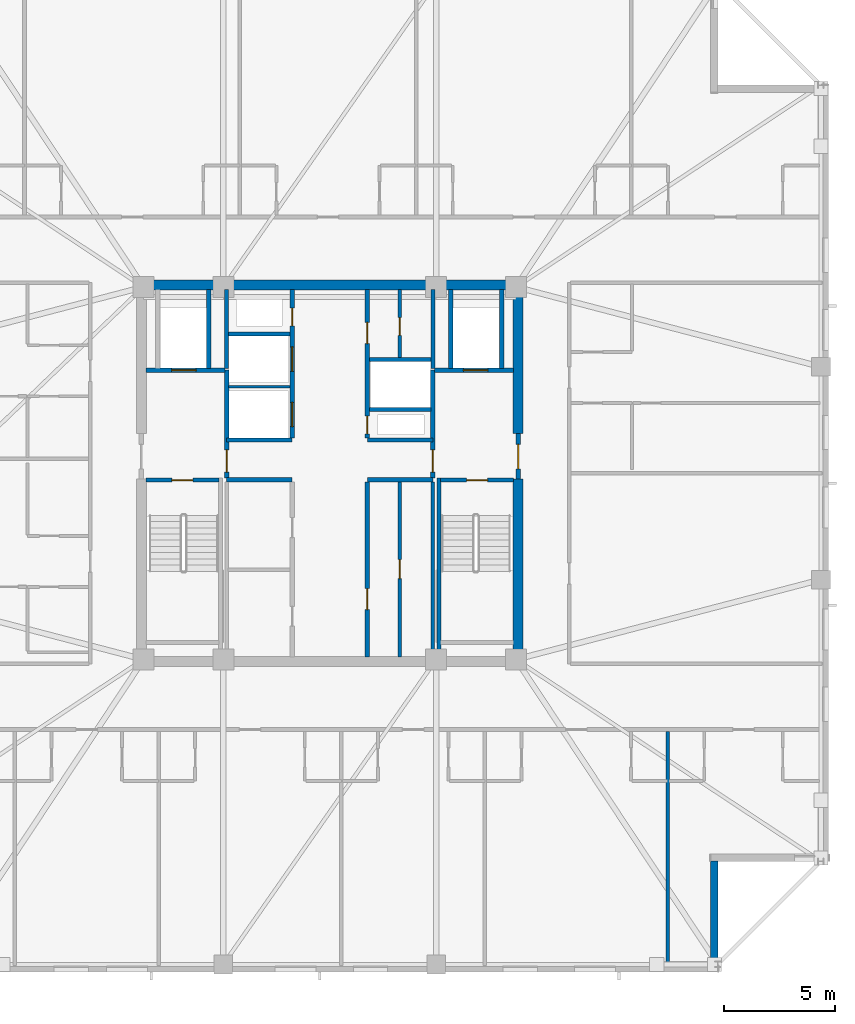
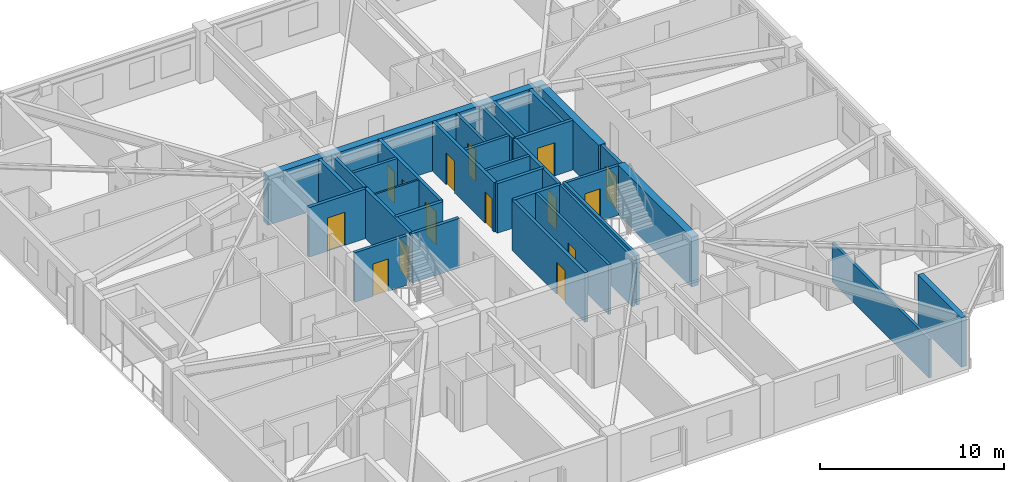
# One storey, part 9 of 17: 32 walls, 15 doors, 15 openings.
"""IFC4 building model written with IfcOpenShell, lengths in metres."""

import ifcopenshell
import ifcopenshell.guid

model = None  # the IFC model being written
_history = None  # IfcOwnerHistory: only IFC2X3 demands one
_inside = {}  # id of a spatial element -> (the spatial element, [elements in it])
_under = {}  # id of a project, library or spatial element -> (it, [spatial elements below it])
_declared = {}  # id of a project -> (the project, [libraries it declares])
_typed = {}  # id of a type object -> (the type object, [elements of that type])
_made_of = {}  # id of a material, layer set ... -> (it, [elements and type objects made of it])


def new_model(schema):
    """Start an empty IFC model of exactly this schema.

    Asked for "IFC4X3", IfcOpenShell would pick the latest addendum, in which some entities
    have other attributes; the version numbers below select the first issue.
    IFC2X3 requires an IfcOwnerHistory on every rooted entity: one is made here for all.
    """
    global model, _history
    if schema == "IFC4X3":
        model = ifcopenshell.file(schema_version=(4, 3, 0, 0))
    else:
        model = ifcopenshell.file(schema=schema)
    _inside.clear()
    _under.clear()
    _declared.clear()
    _typed.clear()
    _made_of.clear()
    _history = None
    if model.schema == "IFC2X3":
        org = make("IfcOrganization", Name="unknown")
        user = make(
            "IfcPersonAndOrganization",
            ThePerson=make("IfcPerson", FamilyName="unknown"),
            TheOrganization=org,
        )
        app = make(
            "IfcApplication",
            ApplicationDeveloper=org,
            Version="unknown",
            ApplicationFullName="unknown",
            ApplicationIdentifier="unknown",
        )
        _history = make(
            "IfcOwnerHistory",
            OwningUser=user,
            OwningApplication=app,
            ChangeAction="ADDED",
            CreationDate=0,
        )
    return model


def make(cls, **values):
    """One entity of the class cls with the attributes given. An attribute that is None is left unset."""
    return model.create_entity(
        cls, **{name: value for name, value in values.items() if value is not None}
    )


def rooted(cls, **values):
    """An entity with a GlobalId (a new one), such as an element, a storey or a relation."""
    return make(cls, GlobalId=ifcopenshell.guid.new(), OwnerHistory=_history, **values)


def si_unit(unit_type, name, prefix=None):
    """IfcSIUnit, for example si_unit("LENGTHUNIT", "METRE", prefix="MILLI")."""
    return make("IfcSIUnit", UnitType=unit_type, Prefix=prefix, Name=name)


def assignment(units):
    """IfcUnitAssignment: the units of a project."""
    return None if units is None else make("IfcUnitAssignment", Units=units)


def point(xyz):
    """IfcCartesianPoint."""
    return None if xyz is None else make("IfcCartesianPoint", Coordinates=xyz)


def direction(xyz):
    """IfcDirection."""
    return None if xyz is None else make("IfcDirection", DirectionRatios=xyz)


def frame(location, z_axis=None, x_axis=None):
    """IfcAxis2Placement3D, a coordinate frame: its origin and axes. An axis left out is left unset."""
    return make(
        "IfcAxis2Placement3D",
        Location=point(location),
        Axis=direction(z_axis),
        RefDirection=direction(x_axis),
    )


def frame_2d(location, x_axis=None):
    """IfcAxis2Placement2D, a coordinate frame in the plane: its origin and x axis."""
    return make(
        "IfcAxis2Placement2D", Location=point(location), RefDirection=direction(x_axis)
    )


def origin():
    """The frame at (0, 0, 0) with its axes left unset."""
    return frame((0.0, 0.0, 0.0))


def place(relative_to, where):
    """IfcLocalPlacement: puts the frame where relative to a parent placement (None: the world)."""
    return make(
        "IfcLocalPlacement", PlacementRelTo=relative_to, RelativePlacement=where
    )


def context(
    kind, dimensions, precision=None, world=None, true_north=None, identifier=None
):
    """IfcGeometricRepresentationContext, for example the 3D "Model" context."""
    return make(
        "IfcGeometricRepresentationContext",
        ContextIdentifier=identifier,
        ContextType=kind,
        CoordinateSpaceDimension=dimensions,
        Precision=precision,
        WorldCoordinateSystem=world,
        TrueNorth=true_north,
    )


def subcontext(parent, identifier, kind, view, scale=None):
    """IfcGeometricRepresentationSubContext, for example "Body" below "Model"."""
    return make(
        "IfcGeometricRepresentationSubContext",
        ContextIdentifier=identifier,
        ContextType=kind,
        ParentContext=parent,
        TargetScale=scale,
        TargetView=view,
    )


def project(units=None, contexts=None):
    """IfcProject with its units and contexts."""
    return rooted(
        "IfcProject",
        Name="project",
        RepresentationContexts=contexts,
        UnitsInContext=assignment(units),
    )


def spatial(cls, under=None, at=None, **own):
    """A site, building, storey or space (cls), placed at a placement, below another one or the project."""
    s = rooted(cls, ObjectPlacement=at, **own)
    if under is not None:
        _under.setdefault(under.id(), (under, []))[1].append(s)
    return s


def profile(cls, at=None, kind="AREA", **sizes):
    """A parametric profile (cls). Its sizes go by their IFC names, for example OverallWidth=200.0."""
    return make(cls, ProfileType=kind, Position=at, **sizes)


def rectangle(**sizes):
    """IfcRectangleProfileDef."""
    return profile("IfcRectangleProfileDef", **sizes)


def extrude(swept, where, along, depth):
    """IfcExtrudedAreaSolid: the profile swept, set in the frame where, extruded along a direction by depth."""
    return make(
        "IfcExtrudedAreaSolid",
        SweptArea=swept,
        Position=where,
        ExtrudedDirection=direction(along),
        Depth=depth,
    )


def shape(context_of_items, identifier, shape_type, items):
    """IfcShapeRepresentation: the items that make up one representation, for example the "Body"."""
    return make(
        "IfcShapeRepresentation",
        ContextOfItems=context_of_items,
        RepresentationIdentifier=identifier,
        RepresentationType=shape_type,
        Items=items,
    )


def material(Name=None, Category=None):
    """IfcMaterial."""
    return make("IfcMaterial", Name=Name, Category=Category)


def layer(
    of_material, thickness, ventilated=None, Name=None, Category=None, Priority=None
):
    """IfcMaterialLayer: one layer of a wall or slab, of a material (None: an air gap)."""
    return make(
        "IfcMaterialLayer",
        Material=of_material,
        LayerThickness=thickness,
        IsVentilated=ventilated,
        Name=Name,
        Category=Category,
        Priority=Priority,
    )


def layer_set(layers, Name=None):
    """IfcMaterialLayerSet."""
    return make("IfcMaterialLayerSet", MaterialLayers=layers, LayerSetName=Name)


def made_of(thing, what):
    """Note that an element or type object is made of a material, layer set ...; save() writes the relation."""
    if what is not None:
        _made_of.setdefault(what.id(), (what, []))[1].append(thing)
    return thing


def type_object(cls, material=None, **own):
    """A type object (cls), such as IfcWallType, which elements share."""
    return made_of(rooted(cls, **own), material)


def element(
    cls,
    number,
    at=None,
    inside=None,
    cuts=None,
    type_object=None,
    material=None,
    context=None,
    identifier="Body",
    shape_type=None,
    held_by="IfcProductDefinitionShape",
    body=None,
    shapes=None,
    **own,
):
    """One element of the class cls, such as IfcWall. Its Tag is "e" and its number.

    at: its placement. inside: the storey or other place that contains it. cuts: it is an
    opening in that element (IfcRelVoidsElement). A single representation is given by context,
    identifier, shape_type and body (its items); several are given by shapes. held_by: the class
    of the entity that holds the representations. save() writes the other relations.
    """
    e = rooted(cls, Tag="e%d" % number, ObjectPlacement=at, **own)
    if body is not None:
        shapes = [shape(context, identifier, shape_type, body)]
    if shapes is not None:
        e.Representation = make(held_by, Representations=shapes)
    if inside is not None:
        _inside.setdefault(inside.id(), (inside, []))[1].append(e)
    if cuts is not None:
        rooted(
            "IfcRelVoidsElement", RelatingBuildingElement=cuts, RelatedOpeningElement=e
        )
    if type_object is not None:
        _typed.setdefault(type_object.id(), (type_object, []))[1].append(e)
    return made_of(e, material)


def fill(opening, filler):
    """IfcRelFillsElement: the door or window that sits in an opening."""
    return rooted(
        "IfcRelFillsElement",
        RelatingOpeningElement=opening,
        RelatedBuildingElement=filler,
    )


def aggregate(whole, parts):
    """IfcRelAggregates: a whole, such as a stair, and the parts it consists of."""
    return rooted("IfcRelAggregates", RelatingObject=whole, RelatedObjects=parts)


def save(model, path):
    """Write the relations noted so far, then the file.

    IfcRelAggregates (storeys below a building ...), IfcRelContainedInSpatialStructure (elements
    in a storey), IfcRelDefinesByType, IfcRelAssociatesMaterial and IfcRelDeclares: one each for
    every whole, place, type object, material and project.
    """
    for whole, parts in _under.values():
        aggregate(whole, parts)
    for where, things in _inside.values():
        rooted(
            "IfcRelContainedInSpatialStructure",
            RelatedElements=things,
            RelatingStructure=where,
        )
    for kind, things in _typed.values():
        rooted("IfcRelDefinesByType", RelatedObjects=things, RelatingType=kind)
    for what, things in _made_of.values():
        rooted("IfcRelAssociatesMaterial", RelatedObjects=things, RelatingMaterial=what)
    for by, libraries in _declared.values():
        rooted("IfcRelDeclares", RelatingContext=by, RelatedDefinitions=libraries)
    model.write(path)


model = new_model("IFC4")

# Units and contexts
model_context = context("Model", 3, precision=1e-05, world=origin(), true_north=direction((0.0, 1.0)))
body_context = subcontext(model_context, "Body", "Model", "MODEL_VIEW")
ifc_project = project(units=[si_unit("LENGTHUNIT", "METRE"), si_unit("AREAUNIT", "SQUARE_METRE"), si_unit("VOLUMEUNIT", "CUBIC_METRE"), si_unit("PLANEANGLEUNIT", "RADIAN"), si_unit("MASSUNIT", "GRAM", prefix="KILO")], contexts=[model_context])

# Site, building, storey
site_placement = place(None, origin())
site = spatial("IfcSite", under=ifc_project, at=site_placement, CompositionType="ELEMENT")
building_placement = place(site_placement, origin())
building = spatial("IfcBuilding", under=site, at=building_placement, Name="Cairnveth Concourse Tower", CompositionType="ELEMENT")
storey_placement = place(building_placement, frame((0.0, 0.0, 237.5)))
storey = spatial("IfcBuildingStorey", under=building, at=storey_placement, Name="L65", CompositionType="ELEMENT", Elevation=237.5)

# Wall
ifc_material_1 = material(Name="Gypsum Plasterboard Partition", Category="gypsum")
ifc_layer_1 = layer(ifc_material_1, 0.159912109375)
ifc_layer_set_1 = layer_set([ifc_layer_1], Name="Gypsum Plasterboard Partition")
wall_type_1 = type_object("IfcWallType", Name="ACOUSTIC PARTY WALL 180", PredefinedType="PARTITIONING", material=ifc_layer_set_1)
wall_1_placement = place(storey_placement, frame((56.64990234375, 30.7099609375, 0.0), z_axis=(0.0, 0.0, 1.0), x_axis=(0.0, 1.0, 0.0)))
element("IfcWall", 1, at=wall_1_placement, inside=storey, type_object=wall_type_1, Name="Interior Wall IW-L65-027", PredefinedType="PARTITIONING", context=body_context, shape_type="SweptSolid", body=[
    extrude(rectangle(XDim=7.905029296875, YDim=0.159912109375, at=frame_2d((3.95263671875, 0.0))), origin(), (0.0, 0.0, 1.0), 3.2900390625),
])

# Wall, opening, door
wall_2_placement = place(storey_placement, frame((55.14990234375, 30.7099609375, 0.0), z_axis=(0.0, 0.0, 1.0), x_axis=(0.0, 1.0, 0.0)))
wall_2 = element("IfcWall", 2, at=wall_2_placement, inside=storey, type_object=wall_type_1, Name="Interior Wall IW-L65-028", PredefinedType="PARTITIONING", context=body_context, shape_type="SweptSolid", body=[
    extrude(rectangle(XDim=7.905029296875, YDim=0.159912109375, at=frame_2d((3.95263671875, 0.0))), origin(), (0.0, 0.0, 1.0), 3.2900390625),
])
opening_1_placement = place(wall_2_placement, frame((3.5400390625, 0.0, 0.0)))
opening_1 = element("IfcOpeningElement", 3, at=opening_1_placement, cuts=wall_2, Name="Opening ID19", PredefinedType="OPENING", context=body_context, shape_type="SweptSolid", body=[
    extrude(rectangle(XDim=0.85009765625, YDim=2.1201171875, at=frame_2d((0.425048828125, 1.06005859375))), frame((0.0, 0.08984375, 0.0), z_axis=(0.0, -1.0, 0.0), x_axis=(1.0, 0.0, 0.0)), (0.0, 0.0, 1.0), 0.179931640625),
])
ifc_material_2 = material(Name="Steel Grade 350", Category="steel")
door_type_1 = type_object("IfcDoorType", Name="CORE SERVICE DOOR 850X2100", OperationType="NOTDEFINED", PredefinedType="DOOR", material=ifc_material_2)
door_1_placement = place(opening_1_placement, origin())
door_1 = element("IfcDoor", 4, at=door_1_placement, inside=storey, type_object=door_type_1, Name="Wine Cellar Door L65", OperationType="SINGLE_SWING_RIGHT", OverallHeight=2.1201171875, OverallWidth=0.85009765625, PredefinedType="DOOR", context=body_context, shape_type="SweptSolid", body=[
    extrude(rectangle(XDim=0.85009765625, YDim=2.1201171875, at=frame_2d((0.425048828125, 1.06005859375))), frame((0.0, 0.02490234375, 0.0), z_axis=(0.0, -1.0, 0.0), x_axis=(1.0, 0.0, 0.0)), (0.0, 0.0, 1.0), 0.050048828125),
])
fill(opening_1, door_1)

wall_3_placement = place(storey_placement, frame((55.14990234375, 44.195068359375, 0.0), z_axis=(0.0, 0.0, 1.0), x_axis=(0.0, 1.0, 0.0)))
wall_3 = element("IfcWall", 5, at=wall_3_placement, inside=storey, type_object=wall_type_1, Name="Interior Wall IW-L65-035", PredefinedType="PARTITIONING", context=body_context, shape_type="SweptSolid", body=[
    extrude(rectangle(XDim=3.094970703125, YDim=0.159912109375, at=frame_2d((1.54736328125, 0.0))), origin(), (0.0, 0.0, 1.0), 3.2900390625),
])
opening_2_placement = place(wall_3_placement, frame((1.02490234375, 0.0, 0.0)))
opening_2 = element("IfcOpeningElement", 6, at=opening_2_placement, cuts=wall_3, Name="Opening ID23", PredefinedType="OPENING", context=body_context, shape_type="SweptSolid", body=[
    extrude(rectangle(XDim=0.800048828125, YDim=2.10009765625, at=frame_2d((0.39990234375, 1.050048828125))), frame((0.0, 0.08984375, 0.0), z_axis=(0.0, -1.0, 0.0), x_axis=(1.0, 0.0, 0.0)), (0.0, 0.0, 1.0), 0.179931640625),
])
door_type_2 = type_object("IfcDoorType", Name="CORE SERVICE DOOR 800X2100", OperationType="NOTDEFINED", PredefinedType="DOOR", material=ifc_material_2)
door_2_placement = place(opening_2_placement, origin())
door_2 = element("IfcDoor", 7, at=door_2_placement, inside=storey, type_object=door_type_2, Name="NE Linen Closet Door L65", OperationType="SINGLE_SWING_RIGHT", OverallHeight=2.10009765625, OverallWidth=0.800048828125, PredefinedType="DOOR", context=body_context, shape_type="SweptSolid", body=[
    extrude(rectangle(XDim=0.800048828125, YDim=2.10009765625, at=frame_2d((0.39990234375, 1.050048828125))), frame((0.0, 0.02490234375, 0.0), z_axis=(0.0, -1.0, 0.0), x_axis=(1.0, 0.0, 0.0)), (0.0, 0.0, 1.0), 0.050048828125),
])
fill(opening_2, door_2)

# Walls
wall_4_placement = place(storey_placement, frame((67.239990234375, 16.804931640625, 0.0), z_axis=(0.0, 0.0, 1.0), x_axis=(0.0, 1.0, 0.0)))
element("IfcWall", 8, at=wall_4_placement, inside=storey, type_object=wall_type_1, Name="Interior Wall IW-L65-068", PredefinedType="PARTITIONING", context=body_context, shape_type="SweptSolid", body=[
    extrude(rectangle(XDim=10.5576171875, YDim=0.159912109375, at=frame_2d((5.27880859375, 0.0))), origin(), (0.0, 0.0, 1.0), 2.572998046875),
])
ifc_material_3 = material(Name="Concrete N65 (65 MPa)", Category="concrete")
ifc_layer_2 = layer(ifc_material_3, 0.449951171875)
ifc_layer_set_2 = layer_set([ifc_layer_2], Name="Concrete N65 (65 MPa)")
wall_type_2 = type_object("IfcWallType", Name="CORE SHEAR WALL 450", PredefinedType="SHEAR", material=ifc_layer_set_2)
wall_5_placement = place(storey_placement, frame((43.27490234375, 47.5, 0.0), z_axis=(0.0, 0.0, 1.0), x_axis=(1.0, 0.0, 0.0)))
element("IfcWall", 9, at=wall_5_placement, inside=storey, type_object=wall_type_2, Name="Core North Shear Wall L65", PredefinedType="SHEAR", context=body_context, shape_type="SweptSolid", body=[
    extrude(rectangle(XDim=17.4501953125, YDim=0.449951171875, at=frame_2d((8.72509765625, 0.0))), origin(), (0.0, 0.0, 1.0), 3.2900390625),
])
wall_6_placement = place(storey_placement, frame((60.5, 30.715087890625, 0.0), z_axis=(0.0, 0.0, 1.0), x_axis=(0.0, 1.0, 0.0)))
element("IfcWall", 10, at=wall_6_placement, inside=storey, type_object=wall_type_2, Name="Core East Shear Wall S L65", PredefinedType="SHEAR", context=body_context, shape_type="SweptSolid", body=[
    extrude(rectangle(XDim=8.034912109375, YDim=0.449951171875, at=frame_2d((4.017578125, 0.0))), origin(), (0.0, 0.0, 1.0), 3.2900390625),
])
wall_7_placement = place(storey_placement, frame((60.5, 40.800048828125, 0.0), z_axis=(0.0, 0.0, 1.0), x_axis=(0.0, 1.0, 0.0)))
element("IfcWall", 11, at=wall_7_placement, inside=storey, type_object=wall_type_2, Name="Core East Shear Wall N L65", PredefinedType="SHEAR", context=body_context, shape_type="SweptSolid", body=[
    extrude(rectangle(XDim=6.48486328125, YDim=0.449951171875, at=frame_2d((3.242431640625, 0.0))), origin(), (0.0, 0.0, 1.0), 3.2900390625),
])
ifc_material_4 = material(Name="Concrete N50 (50 MPa)", Category="concrete")
ifc_layer_3 = layer(ifc_material_4, 0.179931640625)
ifc_layer_set_3 = layer_set([ifc_layer_3], Name="Concrete N50 (50 MPa)")
wall_type_3 = type_object("IfcWallType", Name="FIRE SHAFT WALL 180", PredefinedType="SOLIDWALL", material=ifc_layer_set_3)
wall_8_placement = place(storey_placement, frame((47.35009765625, 43.735107421875, 0.0), z_axis=(0.0, 0.0, 1.0), x_axis=(0.0, 1.0, 0.0)))
element("IfcWall", 12, at=wall_8_placement, inside=storey, type_object=wall_type_3, Name="Interior Wall IW-L65-029", PredefinedType="SOLIDWALL", context=body_context, shape_type="SweptSolid", body=[
    extrude(rectangle(XDim=3.554931640625, YDim=0.179931640625, at=frame_2d((1.77734375, 0.0))), origin(), (0.0, 0.0, 1.0), 3.2900390625),
])
wall_9_placement = place(storey_placement, frame((47.425048828125, 45.280029296875, 0.0), z_axis=(0.0, 0.0, 1.0), x_axis=(1.0, 0.0, 0.0)))
element("IfcWall", 13, at=wall_9_placement, inside=storey, type_object=wall_type_3, Name="Interior Wall IW-L65-031", PredefinedType="SOLIDWALL", context=body_context, shape_type="SweptSolid", body=[
    extrude(rectangle(XDim=2.7900390625, YDim=0.179931640625, at=frame_2d((1.39501953125, 0.0))), origin(), (0.0, 0.0, 1.0), 3.2900390625),
])
wall_10_placement = place(storey_placement, frame((56.64990234375, 43.735107421875, 0.0), z_axis=(0.0, 0.0, 1.0), x_axis=(0.0, 1.0, 0.0)))
element("IfcWall", 14, at=wall_10_placement, inside=storey, type_object=wall_type_3, Name="Interior Wall IW-L65-032", PredefinedType="SOLIDWALL", context=body_context, shape_type="SweptSolid", body=[
    extrude(rectangle(XDim=3.554931640625, YDim=0.179931640625, at=frame_2d((1.77734375, 0.0))), origin(), (0.0, 0.0, 1.0), 3.2900390625),
])
wall_11_placement = place(storey_placement, frame((53.784912109375, 41.8798828125, 0.0), z_axis=(0.0, 0.0, 1.0), x_axis=(1.0, 0.0, 0.0)))
element("IfcWall", 15, at=wall_11_placement, inside=storey, type_object=wall_type_3, Name="Interior Wall IW-L65-033", PredefinedType="SOLIDWALL", context=body_context, shape_type="SweptSolid", body=[
    extrude(rectangle(XDim=2.780029296875, YDim=0.179931640625, at=frame_2d((1.39013671875, 0.0))), origin(), (0.0, 0.0, 1.0), 3.2900390625),
])
wall_12_placement = place(storey_placement, frame((53.784912109375, 44.1201171875, 0.0), z_axis=(0.0, 0.0, 1.0), x_axis=(1.0, 0.0, 0.0)))
element("IfcWall", 16, at=wall_12_placement, inside=storey, type_object=wall_type_3, Name="Interior Wall IW-L65-034", PredefinedType="SOLIDWALL", context=body_context, shape_type="SweptSolid", body=[
    extrude(rectangle(XDim=2.7900390625, YDim=0.179931640625, at=frame_2d((1.39501953125, 0.0))), origin(), (0.0, 0.0, 1.0), 3.2900390625),
])

# Wall, opening, door
wall_13_placement = place(storey_placement, frame((43.715087890625, 38.68994140625, 0.0), z_axis=(0.0, 0.0, 1.0), x_axis=(1.0, 0.0, 0.0)))
wall_13 = element("IfcWall", 17, at=wall_13_placement, inside=storey, type_object=wall_type_3, Name="Stair ST-1 Shaft Wall NEAR L65", PredefinedType="SOLIDWALL", context=body_context, shape_type="SweptSolid", body=[
    extrude(rectangle(XDim=3.280029296875, YDim=0.179931640625, at=frame_2d((1.64013671875, 0.0))), origin(), (0.0, 0.0, 1.0), 3.2900390625),
])
opening_3_placement = place(wall_13_placement, frame((1.1650390625, 0.0, 0.0)))
opening_3 = element("IfcOpeningElement", 18, at=opening_3_placement, cuts=wall_13, Name="Opening ID12", PredefinedType="OPENING", context=body_context, shape_type="SweptSolid", body=[
    extrude(rectangle(XDim=0.949951171875, YDim=2.14990234375, at=frame_2d((0.47509765625, 1.074951171875))), frame((0.0, 0.099853515625, 0.0), z_axis=(0.0, -1.0, 0.0), x_axis=(1.0, 0.0, 0.0)), (0.0, 0.0, 1.0), 0.199951171875),
])
door_type_3 = type_object("IfcDoorType", Name="FIRE STAIR DOOR 950X2150", OperationType="NOTDEFINED", PredefinedType="DOOR", material=ifc_material_2)
door_3_placement = place(opening_3_placement, origin())
door_3 = element("IfcDoor", 19, at=door_3_placement, inside=storey, type_object=door_type_3, Name="Stair ST-1 Fire Door L65", OperationType="SINGLE_SWING_LEFT", OverallHeight=2.14990234375, OverallWidth=0.949951171875, PredefinedType="DOOR", context=body_context, shape_type="SweptSolid", body=[
    extrude(rectangle(XDim=0.949951171875, YDim=2.14990234375, at=frame_2d((0.47509765625, 1.074951171875))), frame((0.0, 0.02490234375, 0.0), z_axis=(0.0, -1.0, 0.0), x_axis=(1.0, 0.0, 0.0)), (0.0, 0.0, 1.0), 0.050048828125),
])
fill(opening_3, door_3)

wall_14_placement = place(storey_placement, frame((57.0048828125, 38.68994140625, 0.0), z_axis=(0.0, 0.0, 1.0), x_axis=(1.0, 0.0, 0.0)))
wall_14 = element("IfcWall", 20, at=wall_14_placement, inside=storey, type_object=wall_type_3, Name="Stair ST-2 Shaft Wall NEAR L65", PredefinedType="SOLIDWALL", context=body_context, shape_type="SweptSolid", body=[
    extrude(rectangle(XDim=3.280029296875, YDim=0.179931640625, at=frame_2d((1.64013671875, 0.0))), origin(), (0.0, 0.0, 1.0), 3.2900390625),
])
opening_4_placement = place(wall_14_placement, frame((1.1650390625, 0.0, 0.0)))
opening_4 = element("IfcOpeningElement", 21, at=opening_4_placement, cuts=wall_14, Name="Opening ID12", PredefinedType="OPENING", context=body_context, shape_type="SweptSolid", body=[
    extrude(rectangle(XDim=0.949951171875, YDim=2.14990234375, at=frame_2d((0.47509765625, 1.074951171875))), frame((0.0, 0.099853515625, 0.0), z_axis=(0.0, -1.0, 0.0), x_axis=(1.0, 0.0, 0.0)), (0.0, 0.0, 1.0), 0.199951171875),
])
door_4_placement = place(opening_4_placement, origin())
door_4 = element("IfcDoor", 22, at=door_4_placement, inside=storey, type_object=door_type_3, Name="Stair ST-2 Fire Door L65", OperationType="SINGLE_SWING_RIGHT", OverallHeight=2.14990234375, OverallWidth=0.949951171875, PredefinedType="DOOR", context=body_context, shape_type="SweptSolid", body=[
    extrude(rectangle(XDim=0.949951171875, YDim=2.14990234375, at=frame_2d((0.47509765625, 1.074951171875))), frame((0.0, 0.02490234375, 0.0), z_axis=(0.0, -1.0, 0.0), x_axis=(1.0, 0.0, 0.0)), (0.0, 0.0, 1.0), 0.050048828125),
])
fill(opening_4, door_4)

# Walls
wall_15_placement = place(storey_placement, frame((56.929931640625, 38.780029296875, 0.0), z_axis=(0.0, 0.0, 1.0), x_axis=(0.0, -1.0, 0.0)))
element("IfcWall", 23, at=wall_15_placement, inside=storey, type_object=wall_type_3, Name="Stair ST-2 Shaft Wall LEFT L65", PredefinedType="SOLIDWALL", context=body_context, shape_type="SweptSolid", body=[
    extrude(rectangle(XDim=8.067138671875, YDim=0.179931640625, at=frame_2d((4.03369140625, 0.0))), origin(), (0.0, 0.0, 1.0), 3.2900390625),
])
ifc_layer_4 = layer(ifc_material_4, 0.199951171875)
ifc_layer_set_4 = layer_set([ifc_layer_4], Name="Concrete N50 (50 MPa)")
wall_type_4 = type_object("IfcWallType", Name="FIRE SHAFT WALL 200", PredefinedType="SOLIDWALL", material=ifc_layer_set_4)
for number, where, z_axis, x_axis, name in (
    (24, (47.35009765625, 38.699951171875, 0.0), (0.0, 0.0, 1.0), (1.0, 0.0, 0.0), "Interior Wall IW-L65-007"),
    (25, (47.35009765625, 40.5, 0.0), (0.0, 0.0, 1.0), (1.0, 0.0, 0.0), "Interior Wall IW-L65-008"),
    (26, (53.699951171875, 38.699951171875, 0.0), (0.0, 0.0, 1.0), (1.0, 0.0, 0.0), "Interior Wall IW-L65-009"),
    (27, (53.699951171875, 40.5, 0.0), (0.0, 0.0, 1.0), (1.0, 0.0, 0.0), "Interior Wall IW-L65-010"),
):
    element("IfcWall", number, at=place(storey_placement, frame(where, z_axis=z_axis, x_axis=x_axis)), inside=storey, type_object=wall_type_4, Name=name, PredefinedType="SOLIDWALL", context=body_context, shape_type="SweptSolid", body=[
        extrude(rectangle(XDim=2.949951171875, YDim=0.199951171875, at=frame_2d((1.47509765625, 0.0))), origin(), (0.0, 0.0, 1.0), 3.2900390625),
    ])

# Wall, opening, door
wall_16_placement = place(storey_placement, frame((53.699951171875, 30.7099609375, 0.0), z_axis=(0.0, 0.0, 1.0), x_axis=(0.0, 1.0, 0.0)))
wall_16 = element("IfcWall", 28, at=wall_16_placement, inside=storey, type_object=wall_type_4, Name="Interior Wall IW-L65-012", PredefinedType="SOLIDWALL", context=body_context, shape_type="SweptSolid", body=[
    extrude(rectangle(XDim=7.905029296875, YDim=0.199951171875, at=frame_2d((3.95263671875, 0.0))), origin(), (0.0, 0.0, 1.0), 3.2900390625),
])
opening_5_placement = place(wall_16_placement, frame((2.139892578125, 0.0, 0.0)))
opening_5 = element("IfcOpeningElement", 29, at=opening_5_placement, cuts=wall_16, Name="Opening ID25", PredefinedType="OPENING", context=body_context, shape_type="SweptSolid", body=[
    extrude(rectangle(XDim=0.949951171875, YDim=2.1201171875, at=frame_2d((0.47509765625, 1.06005859375))), frame((0.0, 0.10986328125, 0.0), z_axis=(0.0, -1.0, 0.0), x_axis=(1.0, 0.0, 0.0)), (0.0, 0.0, 1.0), 0.219970703125),
])
door_type_4 = type_object("IfcDoorType", Name="CORE ACCESSIBLE FIRE DOOR 950X2120", OperationType="NOTDEFINED", PredefinedType="DOOR", material=ifc_material_2)
door_5_placement = place(opening_5_placement, origin())
door_5 = element("IfcDoor", 30, at=door_5_placement, inside=storey, type_object=door_type_4, Name="Sky Restroom Door L65", OperationType="SINGLE_SWING_LEFT", OverallHeight=2.1201171875, OverallWidth=0.949951171875, PredefinedType="DOOR", context=body_context, shape_type="SweptSolid", body=[
    extrude(rectangle(XDim=0.949951171875, YDim=2.1201171875, at=frame_2d((0.47509765625, 1.06005859375))), frame((0.0, 0.02490234375, 0.0), z_axis=(0.0, -1.0, 0.0), x_axis=(1.0, 0.0, 0.0)), (0.0, 0.0, 1.0), 0.050048828125),
])
fill(opening_5, door_5)

# Wall, openings, doors
wall_17_placement = place(storey_placement, frame((50.300048828125, 40.5849609375, 0.0), z_axis=(0.0, 0.0, 1.0), x_axis=(0.0, 1.0, 0.0)))
wall_17 = element("IfcWall", 31, at=wall_17_placement, inside=storey, type_object=wall_type_4, Name="Interior Wall IW-L65-013", PredefinedType="SOLIDWALL", context=body_context, shape_type="SweptSolid", body=[
    extrude(rectangle(XDim=6.705078125, YDim=0.199951171875, at=frame_2d((3.3525390625, 0.0))), origin(), (0.0, 0.0, 1.0), 3.2900390625),
])
opening_6_placement = place(wall_17_placement, frame((0.514892578125, 0.0, 0.0)))
opening_6 = element("IfcOpeningElement", 32, at=opening_6_placement, cuts=wall_17, Name="Opening LD-1", PredefinedType="OPENING", context=body_context, shape_type="SweptSolid", body=[
    extrude(rectangle(XDim=1.10009765625, YDim=2.199951171875, at=frame_2d((0.550048828125, 1.10009765625))), frame((0.0, 0.10986328125, 0.0), z_axis=(0.0, -1.0, 0.0), x_axis=(1.0, 0.0, 0.0)), (0.0, 0.0, 1.0), 0.219970703125),
])
opening_7_placement = place(wall_17_placement, frame((3.014892578125, 0.0, 0.0)))
opening_7 = element("IfcOpeningElement", 33, at=opening_7_placement, cuts=wall_17, Name="Opening LD-1", PredefinedType="OPENING", context=body_context, shape_type="SweptSolid", body=[
    extrude(rectangle(XDim=1.10009765625, YDim=2.199951171875, at=frame_2d((0.550048828125, 1.10009765625))), frame((0.0, 0.10986328125, 0.0), z_axis=(0.0, -1.0, 0.0), x_axis=(1.0, 0.0, 0.0)), (0.0, 0.0, 1.0), 0.219970703125),
])
opening_8_placement = place(wall_17_placement, frame((5.06494140625, 0.0, 0.0)))
opening_8 = element("IfcOpeningElement", 34, at=opening_8_placement, cuts=wall_17, Name="Opening ID24", PredefinedType="OPENING", context=body_context, shape_type="SweptSolid", body=[
    extrude(rectangle(XDim=0.800048828125, YDim=2.080078125, at=frame_2d((0.39990234375, 1.0400390625))), frame((0.0, 0.10986328125, 0.0), z_axis=(0.0, -1.0, 0.0), x_axis=(1.0, 0.0, 0.0)), (0.0, 0.0, 1.0), 0.219970703125),
])
ifc_material_5 = material(Name="Architectural Bronze Anodised Aluminium 6063-T6", Category="aluminium")
door_type_5 = type_object("IfcDoorType", Name="LIFT LANDING DOOR 1100X2200", OperationType="SLIDING_TO_LEFT", PredefinedType="DOOR", material=ifc_material_5)
door_6_placement = place(opening_6_placement, origin())
door_6 = element("IfcDoor", 35, at=door_6_placement, inside=storey, type_object=door_type_5, Name="Lift PL7 Landing Door L65", OperationType="SLIDING_TO_LEFT", OverallHeight=2.199951171875, OverallWidth=1.10009765625, PredefinedType="DOOR", context=body_context, shape_type="SweptSolid", body=[
    extrude(rectangle(XDim=1.10009765625, YDim=2.199951171875, at=frame_2d((0.550048828125, 1.10009765625))), frame((0.0, 0.02490234375, 0.0), z_axis=(0.0, -1.0, 0.0), x_axis=(1.0, 0.0, 0.0)), (0.0, 0.0, 1.0), 0.050048828125),
])
fill(opening_6, door_6)
door_7_placement = place(opening_7_placement, origin())
door_7 = element("IfcDoor", 36, at=door_7_placement, inside=storey, type_object=door_type_5, Name="Lift PL8 Landing Door L65", OperationType="SLIDING_TO_LEFT", OverallHeight=2.199951171875, OverallWidth=1.10009765625, PredefinedType="DOOR", context=body_context, shape_type="SweptSolid", body=[
    extrude(rectangle(XDim=1.10009765625, YDim=2.199951171875, at=frame_2d((0.550048828125, 1.10009765625))), frame((0.0, 0.02490234375, 0.0), z_axis=(0.0, -1.0, 0.0), x_axis=(1.0, 0.0, 0.0)), (0.0, 0.0, 1.0), 0.050048828125),
])
fill(opening_7, door_7)
door_type_6 = type_object("IfcDoorType", Name="RISER ACCESS DOOR 800X2100", OperationType="NOTDEFINED", PredefinedType="DOOR", material=ifc_material_2)
door_8_placement = place(opening_8_placement, origin())
door_8 = element("IfcDoor", 37, at=door_8_placement, inside=storey, type_object=door_type_6, Name="NW Electrical Riser Access Door L65", OperationType="SINGLE_SWING_LEFT", OverallHeight=2.080078125, OverallWidth=0.800048828125, PredefinedType="DOOR", context=body_context, shape_type="SweptSolid", body=[
    extrude(rectangle(XDim=0.800048828125, YDim=2.080078125, at=frame_2d((0.39990234375, 1.0400390625))), frame((0.0, 0.02490234375, 0.0), z_axis=(0.0, -1.0, 0.0), x_axis=(1.0, 0.0, 0.0)), (0.0, 0.0, 1.0), 0.050048828125),
])
fill(opening_8, door_8)

wall_18_placement = place(storey_placement, frame((53.699951171875, 40.5849609375, 0.0), z_axis=(0.0, 0.0, 1.0), x_axis=(0.0, 1.0, 0.0)))
wall_18 = element("IfcWall", 38, at=wall_18_placement, inside=storey, type_object=wall_type_4, Name="Interior Wall IW-L65-014", PredefinedType="SOLIDWALL", context=body_context, shape_type="SweptSolid", body=[
    extrude(rectangle(XDim=6.705078125, YDim=0.199951171875, at=frame_2d((3.3525390625, 0.0))), origin(), (0.0, 0.0, 1.0), 3.2900390625),
])
opening_9_placement = place(wall_18_placement, frame((0.195068359375, 0.0, 0.0)))
opening_9 = element("IfcOpeningElement", 39, at=opening_9_placement, cuts=wall_18, Name="Opening ID24", PredefinedType="OPENING", context=body_context, shape_type="SweptSolid", body=[
    extrude(rectangle(XDim=0.800048828125, YDim=2.080078125, at=frame_2d((0.39990234375, 1.0400390625))), frame((0.0, 0.10986328125, 0.0), z_axis=(0.0, -1.0, 0.0), x_axis=(1.0, 0.0, 0.0)), (0.0, 0.0, 1.0), 0.219970703125),
])
opening_10_placement = place(wall_18_placement, frame((4.264892578125, 0.0, 0.0)))
opening_10 = element("IfcOpeningElement", 40, at=opening_10_placement, cuts=wall_18, Name="Opening ID25", PredefinedType="OPENING", context=body_context, shape_type="SweptSolid", body=[
    extrude(rectangle(XDim=0.949951171875, YDim=2.1201171875, at=frame_2d((0.47509765625, 1.06005859375))), frame((0.0, 0.10986328125, 0.0), z_axis=(0.0, -1.0, 0.0), x_axis=(1.0, 0.0, 0.0)), (0.0, 0.0, 1.0), 0.219970703125),
])
door_9_placement = place(opening_10_placement, origin())
door_9 = element("IfcDoor", 41, at=door_9_placement, inside=storey, type_object=door_type_4, Name="Core NE Restroom Door L65", OperationType="SINGLE_SWING_LEFT", OverallHeight=2.1201171875, OverallWidth=0.949951171875, PredefinedType="DOOR", context=body_context, shape_type="SweptSolid", body=[
    extrude(rectangle(XDim=0.949951171875, YDim=2.1201171875, at=frame_2d((0.47509765625, 1.06005859375))), frame((0.0, 0.02490234375, 0.0), z_axis=(0.0, -1.0, 0.0), x_axis=(1.0, 0.0, 0.0)), (0.0, 0.0, 1.0), 0.050048828125),
])
fill(opening_10, door_9)
door_10_placement = place(opening_9_placement, origin())
door_10 = element("IfcDoor", 42, at=door_10_placement, inside=storey, type_object=door_type_6, Name="Hydraulic Riser Door L65", OperationType="SINGLE_SWING_RIGHT", OverallHeight=2.080078125, OverallWidth=0.800048828125, PredefinedType="DOOR", context=body_context, shape_type="SweptSolid", body=[
    extrude(rectangle(XDim=0.800048828125, YDim=2.080078125, at=frame_2d((0.39990234375, 1.0400390625))), frame((0.0, 0.02490234375, 0.0), z_axis=(0.0, -1.0, 0.0), x_axis=(1.0, 0.0, 0.0)), (0.0, 0.0, 1.0), 0.050048828125),
])
fill(opening_9, door_10)

# Wall, opening, door
wall_19_placement = place(storey_placement, frame((47.35009765625, 38.784912109375, 0.0), z_axis=(0.0, 0.0, 1.0), x_axis=(0.0, 1.0, 0.0)))
wall_19 = element("IfcWall", 43, at=wall_19_placement, inside=storey, type_object=wall_type_4, Name="Interior Wall IW-L65-016", PredefinedType="SOLIDWALL", context=body_context, shape_type="SweptSolid", body=[
    extrude(rectangle(XDim=4.864990234375, YDim=0.199951171875, at=frame_2d((2.4326171875, 0.0))), origin(), (0.0, 0.0, 1.0), 3.2900390625),
])
opening_11_placement = place(wall_19_placement, frame((0.264892578125, 0.0, 0.0)))
opening_11 = element("IfcOpeningElement", 44, at=opening_11_placement, cuts=wall_19, Name="Opening ID07", PredefinedType="OPENING", context=body_context, shape_type="SweptSolid", body=[
    extrude(rectangle(XDim=1.0, YDim=2.14990234375, at=frame_2d((0.5, 1.074951171875))), frame((0.0, 0.10986328125, 0.0), z_axis=(0.0, -1.0, 0.0), x_axis=(1.0, 0.0, 0.0)), (0.0, 0.0, 1.0), 0.219970703125),
])
door_type_7 = type_object("IfcDoorType", Name="FIRE CORRIDOR DOOR 1000X2150", OperationType="NOTDEFINED", PredefinedType="DOOR", material=ifc_material_2)
door_11_placement = place(opening_11_placement, origin())
door_11 = element("IfcDoor", 45, at=door_11_placement, inside=storey, type_object=door_type_7, Name="FF Lobby West to Lift Lobby Door L65", OperationType="SINGLE_SWING_RIGHT", OverallHeight=2.14990234375, OverallWidth=1.0, PredefinedType="DOOR", context=body_context, shape_type="SweptSolid", body=[
    extrude(rectangle(XDim=1.0, YDim=2.14990234375, at=frame_2d((0.5, 1.074951171875))), frame((0.0, 0.02490234375, 0.0), z_axis=(0.0, -1.0, 0.0), x_axis=(1.0, 0.0, 0.0)), (0.0, 0.0, 1.0), 0.050048828125),
])
fill(opening_11, door_11)

wall_20_placement = place(storey_placement, frame((43.7099609375, 43.64990234375, 0.0), z_axis=(0.0, 0.0, 1.0), x_axis=(1.0, 0.0, 0.0)))
wall_20 = element("IfcWall", 46, at=wall_20_placement, inside=storey, type_object=wall_type_4, Name="Interior Wall IW-L65-017", PredefinedType="SOLIDWALL", context=body_context, shape_type="SweptSolid", body=[
    extrude(rectangle(XDim=3.554931640625, YDim=0.199951171875, at=frame_2d((1.77734375, 0.0))), origin(), (0.0, 0.0, 1.0), 3.2900390625),
])
opening_12_placement = place(wall_20_placement, frame((1.159912109375, 0.0, 0.0)))
opening_12 = element("IfcOpeningElement", 47, at=opening_12_placement, cuts=wall_20, Name="Opening LD-1", PredefinedType="OPENING", context=body_context, shape_type="SweptSolid", body=[
    extrude(rectangle(XDim=1.10009765625, YDim=2.199951171875, at=frame_2d((0.550048828125, 1.10009765625))), frame((0.0, 0.10986328125, 0.0), z_axis=(0.0, -1.0, 0.0), x_axis=(1.0, 0.0, 0.0)), (0.0, 0.0, 1.0), 0.219970703125),
])
door_12_placement = place(opening_12_placement, origin())
door_12 = element("IfcDoor", 48, at=door_12_placement, inside=storey, type_object=door_type_5, Name="Lift FFL1 Landing Door L65", OperationType="SLIDING_TO_LEFT", OverallHeight=2.199951171875, OverallWidth=1.10009765625, PredefinedType="DOOR", context=body_context, shape_type="SweptSolid", body=[
    extrude(rectangle(XDim=1.10009765625, YDim=2.199951171875, at=frame_2d((0.550048828125, 1.10009765625))), frame((0.0, 0.02490234375, 0.0), z_axis=(0.0, -1.0, 0.0), x_axis=(1.0, 0.0, 0.0)), (0.0, 0.0, 1.0), 0.050048828125),
])
fill(opening_12, door_12)

# Wall
wall_21_placement = place(storey_placement, frame((46.550048828125, 43.735107421875, 0.0), z_axis=(0.0, 0.0, 1.0), x_axis=(0.0, 1.0, 0.0)))
element("IfcWall", 49, at=wall_21_placement, inside=storey, type_object=wall_type_4, Name="Interior Wall IW-L65-018", PredefinedType="SOLIDWALL", context=body_context, shape_type="SweptSolid", body=[
    extrude(rectangle(XDim=3.554931640625, YDim=0.199951171875, at=frame_2d((1.77734375, 0.0))), origin(), (0.0, 0.0, 1.0), 3.2900390625),
])

# Wall, opening, door
wall_22_placement = place(storey_placement, frame((60.5, 38.75, 0.0), z_axis=(0.0, 0.0, 1.0), x_axis=(0.0, 1.0, 0.0)))
wall_22 = element("IfcWall", 50, at=wall_22_placement, inside=storey, type_object=wall_type_4, Name="Interior Wall IW-L65-020", PredefinedType="SOLIDWALL", context=body_context, shape_type="SweptSolid", body=[
    extrude(rectangle(XDim=2.050048828125, YDim=0.199951171875, at=frame_2d((1.02490234375, 0.0))), origin(), (0.0, 0.0, 1.0), 3.2900390625),
])
opening_13_placement = place(wall_22_placement, frame((0.449951171875, 0.0, 0.0)))
opening_13 = element("IfcOpeningElement", 51, at=opening_13_placement, cuts=wall_22, Name="Opening ID06", PredefinedType="OPENING", context=body_context, shape_type="SweptSolid", body=[
    extrude(rectangle(XDim=1.10009765625, YDim=2.14990234375, at=frame_2d((0.550048828125, 1.074951171875))), frame((0.0, 0.10986328125, 0.0), z_axis=(0.0, -1.0, 0.0), x_axis=(1.0, 0.0, 0.0)), (0.0, 0.0, 1.0), 0.219970703125),
])
door_type_8 = type_object("IfcDoorType", Name="FIRE CORRIDOR DOOR 1100X2150", OperationType="NOTDEFINED", PredefinedType="DOOR", material=ifc_material_2)
door_13_placement = place(opening_13_placement, origin())
door_13 = element("IfcDoor", 52, at=door_13_placement, inside=storey, type_object=door_type_8, Name="East Wing to FF Lobby Door L65", OperationType="SINGLE_SWING_RIGHT", OverallHeight=2.14990234375, OverallWidth=1.10009765625, PredefinedType="DOOR", context=body_context, shape_type="SweptSolid", body=[
    extrude(rectangle(XDim=1.10009765625, YDim=2.14990234375, at=frame_2d((0.550048828125, 1.074951171875))), frame((0.0, 0.02490234375, 0.0), z_axis=(0.0, -1.0, 0.0), x_axis=(1.0, 0.0, 0.0)), (0.0, 0.0, 1.0), 0.050048828125),
])
fill(opening_13, door_13)

wall_23_placement = place(storey_placement, frame((56.64990234375, 38.784912109375, 0.0), z_axis=(0.0, 0.0, 1.0), x_axis=(0.0, 1.0, 0.0)))
wall_23 = element("IfcWall", 53, at=wall_23_placement, inside=storey, type_object=wall_type_4, Name="Interior Wall IW-L65-021", PredefinedType="SOLIDWALL", context=body_context, shape_type="SweptSolid", body=[
    extrude(rectangle(XDim=4.864990234375, YDim=0.199951171875, at=frame_2d((2.4326171875, 0.0))), origin(), (0.0, 0.0, 1.0), 3.2900390625),
])
opening_14_placement = place(wall_23_placement, frame((0.264892578125, 0.0, 0.0)))
opening_14 = element("IfcOpeningElement", 54, at=opening_14_placement, cuts=wall_23, Name="Opening ID07", PredefinedType="OPENING", context=body_context, shape_type="SweptSolid", body=[
    extrude(rectangle(XDim=1.0, YDim=2.14990234375, at=frame_2d((0.5, 1.074951171875))), frame((0.0, 0.10986328125, 0.0), z_axis=(0.0, -1.0, 0.0), x_axis=(1.0, 0.0, 0.0)), (0.0, 0.0, 1.0), 0.219970703125),
])
door_14_placement = place(opening_14_placement, origin())
door_14 = element("IfcDoor", 55, at=door_14_placement, inside=storey, type_object=door_type_7, Name="FF Lobby East to Lift Lobby Door L65", OperationType="SINGLE_SWING_LEFT", OverallHeight=2.14990234375, OverallWidth=1.0, PredefinedType="DOOR", context=body_context, shape_type="SweptSolid", body=[
    extrude(rectangle(XDim=1.0, YDim=2.14990234375, at=frame_2d((0.5, 1.074951171875))), frame((0.0, 0.02490234375, 0.0), z_axis=(0.0, -1.0, 0.0), x_axis=(1.0, 0.0, 0.0)), (0.0, 0.0, 1.0), 0.050048828125),
])
fill(opening_14, door_14)

wall_24_placement = place(storey_placement, frame((56.735107421875, 43.64990234375, 0.0), z_axis=(0.0, 0.0, 1.0), x_axis=(1.0, 0.0, 0.0)))
wall_24 = element("IfcWall", 56, at=wall_24_placement, inside=storey, type_object=wall_type_4, Name="Interior Wall IW-L65-022", PredefinedType="SOLIDWALL", context=body_context, shape_type="SweptSolid", body=[
    extrude(rectangle(XDim=3.554931640625, YDim=0.199951171875, at=frame_2d((1.77734375, 0.0))), origin(), (0.0, 0.0, 1.0), 3.2900390625),
])
opening_15_placement = place(wall_24_placement, frame((1.294921875, 0.0, 0.0)))
opening_15 = element("IfcOpeningElement", 57, at=opening_15_placement, cuts=wall_24, Name="Opening LD-1", PredefinedType="OPENING", context=body_context, shape_type="SweptSolid", body=[
    extrude(rectangle(XDim=1.10009765625, YDim=2.199951171875, at=frame_2d((0.550048828125, 1.10009765625))), frame((0.0, 0.10986328125, 0.0), z_axis=(0.0, -1.0, 0.0), x_axis=(1.0, 0.0, 0.0)), (0.0, 0.0, 1.0), 0.219970703125),
])
door_15_placement = place(opening_15_placement, origin())
door_15 = element("IfcDoor", 58, at=door_15_placement, inside=storey, type_object=door_type_5, Name="Lift FFL2 Landing Door L65", OperationType="SLIDING_TO_LEFT", OverallHeight=2.199951171875, OverallWidth=1.10009765625, PredefinedType="DOOR", context=body_context, shape_type="SweptSolid", body=[
    extrude(rectangle(XDim=1.10009765625, YDim=2.199951171875, at=frame_2d((0.550048828125, 1.10009765625))), frame((0.0, 0.02490234375, 0.0), z_axis=(0.0, -1.0, 0.0), x_axis=(1.0, 0.0, 0.0)), (0.0, 0.0, 1.0), 0.050048828125),
])
fill(opening_15, door_15)

# Walls
for number, where, z_axis, x_axis, name in (
    (59, (57.449951171875, 43.735107421875, 0.0), (0.0, 0.0, 1.0), (0.0, 1.0, 0.0), "Interior Wall IW-L65-023"),
    (60, (59.75, 43.735107421875, 0.0), (0.0, 0.0, 1.0), (0.0, 1.0, 0.0), "Interior Wall IW-L65-024"),
):
    element("IfcWall", number, at=place(storey_placement, frame(where, z_axis=z_axis, x_axis=x_axis)), inside=storey, type_object=wall_type_4, Name=name, PredefinedType="SOLIDWALL", context=body_context, shape_type="SweptSolid", body=[
        extrude(rectangle(XDim=3.554931640625, YDim=0.199951171875, at=frame_2d((1.77734375, 0.0))), origin(), (0.0, 0.0, 1.0), 3.2900390625),
    ])
ifc_layer_5 = layer(ifc_material_1, 0.110107421875)
ifc_layer_set_5 = layer_set([ifc_layer_5], Name="Gypsum Plasterboard Partition")
wall_type_5 = type_object("IfcWallType", Name="SHAFT DIVIDER WALL 140", PredefinedType="PARTITIONING", material=ifc_layer_set_5)
wall_25_placement = place(storey_placement, frame((47.43505859375, 42.89990234375, 0.0), z_axis=(0.0, 0.0, 1.0), x_axis=(1.0, 0.0, 0.0)))
element("IfcWall", 61, at=wall_25_placement, inside=storey, type_object=wall_type_5, Name="Interior Wall IW-L65-030", PredefinedType="PARTITIONING", context=body_context, shape_type="SweptSolid", body=[
    extrude(rectangle(XDim=2.780029296875, YDim=0.110107421875, at=frame_2d((1.39013671875, 0.0))), origin(), (0.0, 0.0, 1.0), 3.2900390625),
])
ifc_material_6 = material(Name="Melbourne Buff Fired Clay Brick Masonry", Category="masonry")
ifc_layer_6 = layer(ifc_material_6, 0.320068359375)
ifc_layer_set_6 = layer_set([ifc_layer_6], Name="Melbourne Buff Fired Clay Brick Masonry")
wall_type_6 = type_object("IfcWallType", Name="ZONE 3 BRICK PIER SPANDREL WALL 320", PredefinedType="SOLIDWALL", material=ifc_layer_set_6)
wall_26_placement = place(storey_placement, frame((69.340087890625, 21.52197265625, 0.0), z_axis=(0.0, 0.0, 1.0), x_axis=(0.0, -1.0, 0.0)))
element("IfcWall", 62, at=wall_26_placement, inside=storey, type_object=wall_type_6, Name="Exterior Wall EW-L65-S08", PredefinedType="SOLIDWALL", context=body_context, shape_type="SweptSolid", body=[
    extrude(rectangle(XDim=4.723876953125, YDim=0.320068359375, at=frame_2d((2.36181640625, 0.0))), origin(), (0.0, 0.0, 1.0), 3.2900390625),
])

save(model, "model.ifc")
